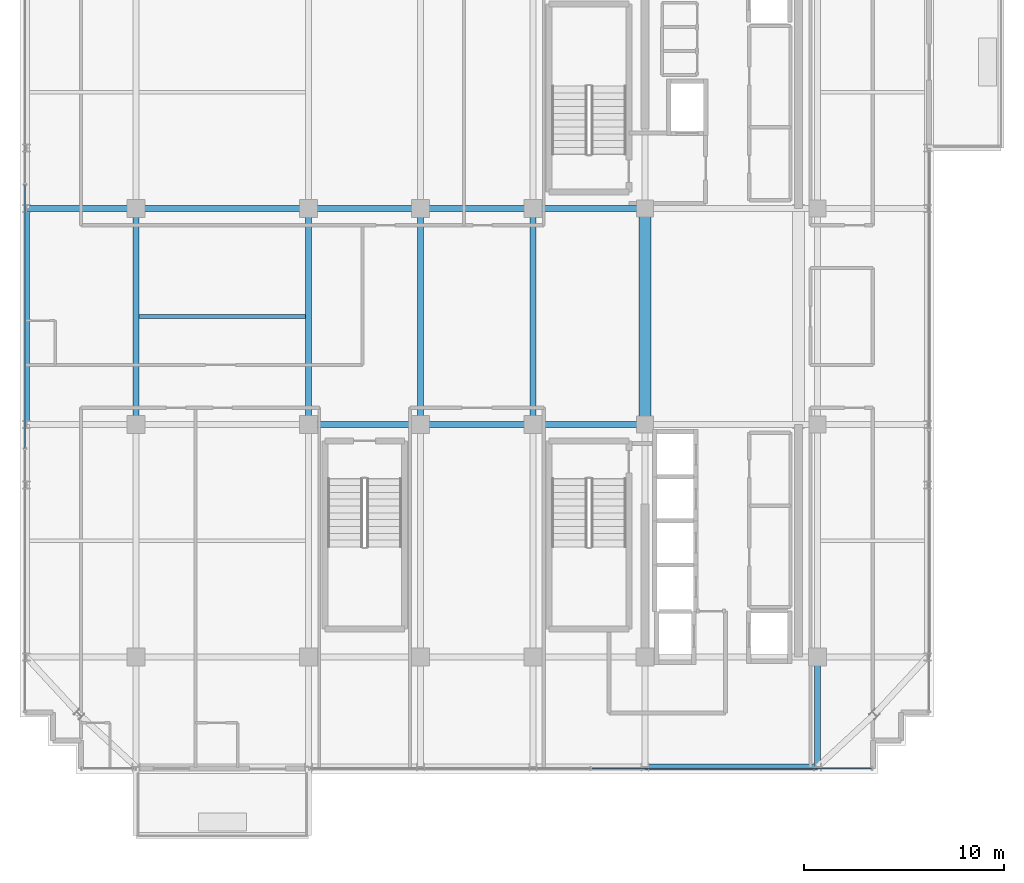
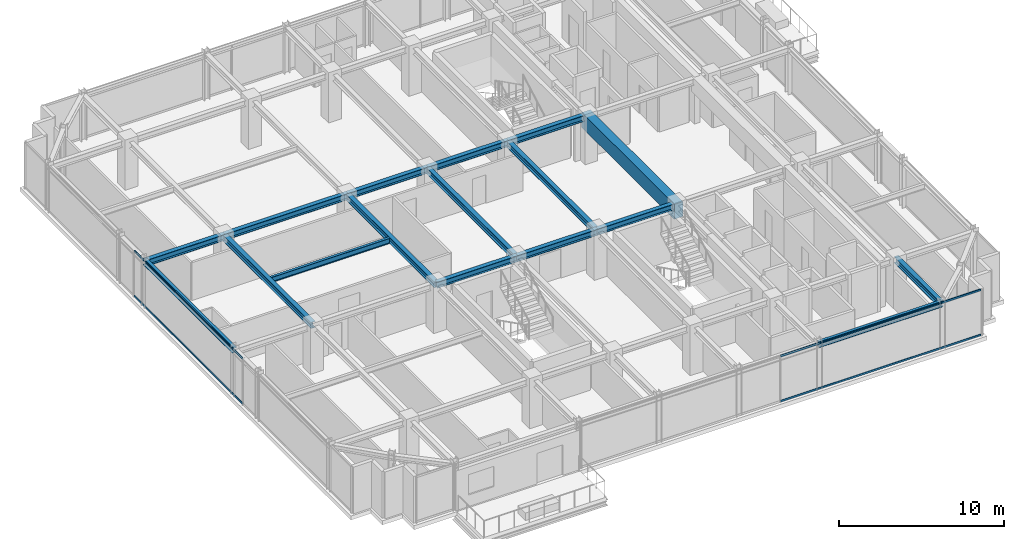
# One storey, part 10 of 33: 17 beams, 4 members, 2 elements without a shape of their own.
"""IFC4 building model written with IfcOpenShell, lengths in metres."""

from ifc_helpers import new_model, si_unit, direction, frame, origin, origin_2d, place, context, subcontext, project, spatial, rectangle, hollow_rectangle, i_section, extrude, source, transform, mapped, material, material_profile, profile_set, type_object, element, aggregate, save


model = new_model("IFC4")

# Units and contexts
model_context = context("Model", 3, precision=1e-05, world=origin(), true_north=direction((0.0, 1.0)))
body_context = subcontext(model_context, "Body", "Model", "MODEL_VIEW")
ifc_project = project(units=[si_unit("LENGTHUNIT", "METRE"), si_unit("AREAUNIT", "SQUARE_METRE"), si_unit("VOLUMEUNIT", "CUBIC_METRE"), si_unit("PLANEANGLEUNIT", "RADIAN"), si_unit("MASSUNIT", "GRAM", prefix="KILO")], contexts=[model_context])

# Site, building, storey
site_placement = place(None, origin())
site = spatial("IfcSite", under=ifc_project, at=site_placement, CompositionType="ELEMENT")
building_placement = place(site_placement, origin())
building = spatial("IfcBuilding", under=site, at=building_placement, Name="Nahalor Promenade Grand Hotel", CompositionType="ELEMENT")
storey_placement = place(building_placement, frame((0.0, 0.0, 270.050048828125)))
storey = spatial("IfcBuildingStorey", under=building, at=storey_placement, Name="L69", CompositionType="ELEMENT", Elevation=270.050048828125)

# Beams
ifc_material_1 = material(Name="Concrete B-60 (C50/60)", Category="concrete")
ifc_material_profile_1 = material_profile(ifc_material_1, rectangle(XDim=0.6, YDim=1.1, at=origin_2d()), Name="RC 600x1100")
ifc_profile_set_1 = profile_set([ifc_material_profile_1], Name="Concrete B-60 (C50/60)")
beam_type_1 = type_object("IfcBeamType", Name="Beam-Lintel-RC1100", PredefinedType="LINTEL", material=ifc_profile_set_1)
shared_shape_1 = source(origin(), body_context, "Body", "SweptSolid", [
    extrude(rectangle(XDim=0.6, YDim=1.1, at=origin_2d()), origin(), (0.0, 0.0, 1.0), 11.2001953125),
])
beam_1_placement = place(storey_placement, frame((8.39990234375, -5.60009765625, 2.89990234375), z_axis=(0.0, 1.0, 0.0), x_axis=(-1.0, 0.0, 0.0)))
element("IfcBeam", 1, at=beam_1_placement, inside=storey, type_object=beam_type_1, Name="BM-L69-LINT-W", PredefinedType="LINTEL", context=body_context, shape_type="MappedRepresentation", body=[
    mapped(shared_shape_1, transform((0.0, 0.0, 0.0), scale=1.0)),
])
ifc_material_2 = material(Name="Steel S355JR", Category="steel")
ifc_material_profile_2 = material_profile(ifc_material_2, i_section(OverallWidth=0.3, OverallDepth=0.45, WebThickness=0.014, FlangeThickness=0.026, at=origin_2d()), Name="HEB 450")
ifc_profile_set_2 = profile_set([ifc_material_profile_2], Name="Steel S355JR")
beam_type_2 = type_object("IfcBeamType", Name="Beam-Girder-HEB450", PredefinedType="BEAM", material=ifc_profile_set_2)
shared_shape_2 = source(origin(), body_context, "Body", "SweptSolid", [
    extrude(i_section(OverallWidth=0.3, OverallDepth=0.45, WebThickness=0.014, FlangeThickness=0.026, at=origin_2d()), origin(), (0.0, 0.0, 1.0), 8.60009765625),
])
beam_2_placement = place(storey_placement, frame((-17.0, 5.39990234375, 3.224853515625), z_axis=(1.0, 0.0, 0.0), x_axis=(0.0, 1.0, 0.0)))
element("IfcBeam", 2, at=beam_2_placement, inside=storey, type_object=beam_type_2, Name="BM-L69-GX-2-1", PredefinedType="BEAM", context=body_context, shape_type="MappedRepresentation", body=[
    mapped(shared_shape_2, transform((0.0, 0.0, 0.0), scale=1.0)),
])
shared_shape_3 = source(origin(), body_context, "Body", "SweptSolid", [
    extrude(i_section(OverallWidth=0.3, OverallDepth=0.45, WebThickness=0.014, FlangeThickness=0.026, at=origin_2d()), origin(), (0.0, 0.0, 1.0), 5.599853515625),
])
for number, where, z_axis, x_axis, name in (
    (3, (-8.39990234375, -5.39990234375, 3.224853515625), (1.0, 0.0, 0.0), (0.0, 1.0, 0.0), "BM-L69-GX-1-2"),
    (4, (2.800048828125, -5.39990234375, 3.224853515625), (1.0, 0.0, 0.0), (0.0, 1.0, 0.0), "BM-L69-GX-1-4"),
    (5, (-8.39990234375, 5.39990234375, 3.224853515625), (1.0, 0.0, 0.0), (0.0, 1.0, 0.0), "BM-L69-GX-2-2"),
    (6, (2.800048828125, 5.39990234375, 3.224853515625), (1.0, 0.0, 0.0), (0.0, 1.0, 0.0), "BM-L69-GX-2-4"),
):
    element("IfcBeam", number, at=place(storey_placement, frame(where, z_axis=z_axis, x_axis=x_axis)), inside=storey, type_object=beam_type_2, Name=name, PredefinedType="BEAM", context=body_context, shape_type="MappedRepresentation", body=[
        mapped(shared_shape_3, transform((0.0, 0.0, 0.0), scale=1.0)),
    ])
shared_shape_4 = source(origin(), body_context, "Body", "SweptSolid", [
    extrude(i_section(OverallWidth=0.3, OverallDepth=0.45, WebThickness=0.014, FlangeThickness=0.026, at=origin_2d()), origin(), (0.0, 0.0, 1.0), 5.60009765625),
])
for number, where, z_axis, x_axis, name in (
    (7, (-2.800048828125, -5.39990234375, 3.224853515625), (1.0, 0.0, 0.0), (0.0, 1.0, 0.0), "BM-L69-GX-1-3"),
    (8, (-2.800048828125, 5.39990234375, 3.224853515625), (1.0, 0.0, 0.0), (0.0, 1.0, 0.0), "BM-L69-GX-2-3"),
):
    element("IfcBeam", number, at=place(storey_placement, frame(where, z_axis=z_axis, x_axis=x_axis)), inside=storey, type_object=beam_type_2, Name=name, PredefinedType="BEAM", context=body_context, shape_type="MappedRepresentation", body=[
        mapped(shared_shape_4, transform((0.0, 0.0, 0.0), scale=1.0)),
    ])
shared_shape_5 = source(origin(), body_context, "Body", "SweptSolid", [
    extrude(i_section(OverallWidth=0.3, OverallDepth=0.45, WebThickness=0.014, FlangeThickness=0.026, at=origin_2d()), origin(), (0.0, 0.0, 1.0), 10.7998046875),
])
for number, where, z_axis, x_axis, name in (
    (9, (-17.0, -5.39990234375, 3.224853515625), (0.0, 1.0, 0.0), (-1.0, 0.0, 0.0), "BM-L69-GY-0-2"),
    (10, (-8.39990234375, -5.39990234375, 3.224853515625), (0.0, 1.0, 0.0), (-1.0, 0.0, 0.0), "BM-L69-GY-1-2"),
    (11, (-2.800048828125, -5.39990234375, 3.224853515625), (0.0, 1.0, 0.0), (-1.0, 0.0, 0.0), "BM-L69-GY-2-2"),
    (12, (2.800048828125, -5.39990234375, 3.224853515625), (0.0, 1.0, 0.0), (-1.0, 0.0, 0.0), "BM-L69-GY-3-2"),
):
    element("IfcBeam", number, at=place(storey_placement, frame(where, z_axis=z_axis, x_axis=x_axis)), inside=storey, type_object=beam_type_2, Name=name, PredefinedType="BEAM", context=body_context, shape_type="MappedRepresentation", body=[
        mapped(shared_shape_5, transform((0.0, 0.0, 0.0), scale=1.0)),
    ])
ifc_material_profile_3 = material_profile(ifc_material_2, i_section(OverallWidth=0.18, OverallDepth=0.4, WebThickness=0.0086, FlangeThickness=0.0135, at=origin_2d()), Name="IPE 400")
ifc_profile_set_3 = profile_set([ifc_material_profile_3], Name="Steel S355JR")
beam_type_3 = type_object("IfcBeamType", Name="Beam-Joist-IPE400", PredefinedType="JOIST", material=ifc_profile_set_3)
shared_shape_6 = source(origin(), body_context, "Body", "SweptSolid", [
    extrude(i_section(OverallWidth=0.18, OverallDepth=0.4, WebThickness=0.0086, FlangeThickness=0.0135, at=origin_2d()), origin(), (0.0, 0.0, 1.0), 8.300048828125),
])
beam_3_placement = place(storey_placement, frame((-16.85009765625, 0.0, 3.25), z_axis=(1.0, 0.0, 0.0), x_axis=(0.0, 1.0, 0.0)))
element("IfcBeam", 13, at=beam_3_placement, inside=storey, type_object=beam_type_3, Name="BM-L69-JSC-0", PredefinedType="JOIST", context=body_context, shape_type="MappedRepresentation", body=[
    mapped(shared_shape_6, transform((0.0, 0.0, 0.0), scale=1.0)),
])
shared_shape_7 = source(origin(), body_context, "Body", "SweptSolid", [
    extrude(i_section(OverallWidth=0.3, OverallDepth=0.45, WebThickness=0.014, FlangeThickness=0.026, at=origin_2d()), origin(), (0.0, 0.0, 1.0), 5.47998046875),
])
for number, where, z_axis, x_axis, name in (
    (14, (-22.47998046875, 5.39990234375, 3.224853515625), (1.0, 0.0, 0.0), (0.0, 1.0, 0.0), "BM-L69-GX-2-0"),
    (15, (17.0, -22.47998046875, 3.224853515625), (0.0, 1.0, 0.0), (-1.0, 0.0, 0.0), "BM-L69-GY-5-0"),
):
    element("IfcBeam", number, at=place(storey_placement, frame(where, z_axis=z_axis, x_axis=x_axis)), inside=storey, type_object=beam_type_2, Name=name, PredefinedType="BEAM", context=body_context, shape_type="MappedRepresentation", body=[
        mapped(shared_shape_7, transform((0.0, 0.0, 0.0), scale=1.0)),
    ])
ifc_material_profile_4 = material_profile(ifc_material_2, i_section(OverallWidth=0.3, OverallDepth=0.36, WebThickness=0.0125, FlangeThickness=0.0225, at=origin_2d()), Name="HEB 360")
ifc_profile_set_4 = profile_set([ifc_material_profile_4], Name="Steel S355JR")
beam_type_4 = type_object("IfcBeamType", Name="Beam-Spandrel-HEB360", PredefinedType="SPANDREL", material=ifc_profile_set_4)
shared_shape_8 = source(origin(), body_context, "Body", "SweptSolid", [
    extrude(i_section(OverallWidth=0.3, OverallDepth=0.36, WebThickness=0.0125, FlangeThickness=0.0225, at=origin_2d()), origin(), (0.0, 0.0, 1.0), 8.60009765625),
])
beam_4_placement = place(storey_placement, frame((8.39990234375, -22.47998046875, 3.27001953125), z_axis=(1.0, 0.0, 0.0), x_axis=(0.0, 1.0, 0.0)))
element("IfcBeam", 16, at=beam_4_placement, inside=storey, type_object=beam_type_4, Name="BM-L69-SP-S-4", PredefinedType="SPANDREL", context=body_context, shape_type="MappedRepresentation", body=[
    mapped(shared_shape_8, transform((0.0, 0.0, 0.0), scale=1.0)),
])
shared_shape_9 = source(origin(), body_context, "Body", "SweptSolid", [
    extrude(i_section(OverallWidth=0.3, OverallDepth=0.36, WebThickness=0.0125, FlangeThickness=0.0225, at=origin_2d()), origin(), (0.0, 0.0, 1.0), 10.7998046875),
])
beam_5_placement = place(storey_placement, frame((-22.47998046875, -5.39990234375, 3.27001953125), z_axis=(0.0, 1.0, 0.0), x_axis=(-1.0, 0.0, 0.0)))
element("IfcBeam", 17, at=beam_5_placement, inside=storey, type_object=beam_type_4, Name="BM-L69-SP-W-2", PredefinedType="SPANDREL", context=body_context, shape_type="MappedRepresentation", body=[
    mapped(shared_shape_9, transform((0.0, 0.0, 0.0), scale=1.0)),
])

# Curtain wall, members
ifc_material_3 = material(Name="Anodised Bronze Aluminium EN AW-6063 T6", Category="aluminium")
curtain_wall_type = type_object("IfcCurtainWallType", Name="CW2 Typical Hotel Flush Bronze Unitised Curtain Wall", PredefinedType="USERDEFINED", material=ifc_material_3)
curtain_wall_1_placement = place(storey_placement, origin())
curtain_wall_1 = element("IfcCurtainWall", 18, at=curtain_wall_1_placement, inside=storey, type_object=curtain_wall_type, Name="L69 Curtain Wall CW-L69-S-3", ObjectType="UNITISED_CURTAIN_WALL", PredefinedType="USERDEFINED")
ifc_material_profile_5 = material_profile(ifc_material_3, hollow_rectangle(XDim=0.065, YDim=0.13, WallThickness=0.004, at=origin_2d()), Name="CWT 65x130x4")
ifc_profile_set_5 = profile_set([ifc_material_profile_5], Name="Anodised Bronze Aluminium EN AW-6063 T6")
member_type = type_object("IfcMemberType", Name="CWT2 Typical Bronze Transom 65x130", PredefinedType="USERDEFINED", material=ifc_profile_set_5)
shared_shape_10 = source(origin(), body_context, "Body", "SweptSolid", [
    extrude(hollow_rectangle(XDim=0.065, YDim=0.13, WallThickness=0.004, at=origin_2d()), origin(), (0.0, 0.0, 1.0), 13.982666015625),
])
member_1_placement = place(storey_placement, frame((5.71240234375, -22.56005859375, 0.06494140625), z_axis=(1.0, 0.0, 0.0), x_axis=(0.0, 1.0, 0.0)))
member_1 = element("IfcMember", 19, at=member_1_placement, type_object=member_type, Name="CW-L69-S-3 Transom 1-0", ObjectType="TRANSOM", PredefinedType="USERDEFINED", context=body_context, shape_type="MappedRepresentation", body=[
    mapped(shared_shape_10, transform((0.0, 0.0, 0.0), scale=1.0)),
])
member_2_placement = place(storey_placement, frame((5.71240234375, -22.56005859375, 3.385009765625), z_axis=(1.0, 0.0, 0.0), x_axis=(0.0, 1.0, 0.0)))
member_2 = element("IfcMember", 20, at=member_2_placement, type_object=member_type, Name="CW-L69-S-3 Transom 1-1", ObjectType="TRANSOM", PredefinedType="USERDEFINED", context=body_context, shape_type="MappedRepresentation", body=[
    mapped(shared_shape_10, transform((0.0, 0.0, 0.0), scale=1.0)),
])
aggregate(curtain_wall_1, [member_1, member_2])

curtain_wall_2_placement = place(storey_placement, origin())
curtain_wall_2 = element("IfcCurtainWall", 21, at=curtain_wall_2_placement, inside=storey, type_object=curtain_wall_type, Name="L69 Curtain Wall CW-L69-W-1", ObjectType="UNITISED_CURTAIN_WALL", PredefinedType="USERDEFINED")
shared_shape_11 = source(origin(), body_context, "Body", "SweptSolid", [
    extrude(hollow_rectangle(XDim=0.065, YDim=0.13, WallThickness=0.004, at=origin_2d()), origin(), (0.0, 0.0, 1.0), 13.1083984375),
])
member_3_placement = place(storey_placement, frame((-22.56005859375, -6.55419921875, 0.06494140625), z_axis=(0.0, 1.0, 0.0), x_axis=(-1.0, 0.0, 0.0)))
member_3 = element("IfcMember", 22, at=member_3_placement, type_object=member_type, Name="CW-L69-W-1 Transom 1-0", ObjectType="TRANSOM", PredefinedType="USERDEFINED", context=body_context, shape_type="MappedRepresentation", body=[
    mapped(shared_shape_11, transform((0.0, 0.0, 0.0), scale=1.0)),
])
member_4_placement = place(storey_placement, frame((-22.56005859375, -6.55419921875, 3.385009765625), z_axis=(0.0, 1.0, 0.0), x_axis=(-1.0, 0.0, 0.0)))
member_4 = element("IfcMember", 23, at=member_4_placement, type_object=member_type, Name="CW-L69-W-1 Transom 1-1", ObjectType="TRANSOM", PredefinedType="USERDEFINED", context=body_context, shape_type="MappedRepresentation", body=[
    mapped(shared_shape_11, transform((0.0, 0.0, 0.0), scale=1.0)),
])
aggregate(curtain_wall_2, [member_3, member_4])

save(model, "model.ifc")
